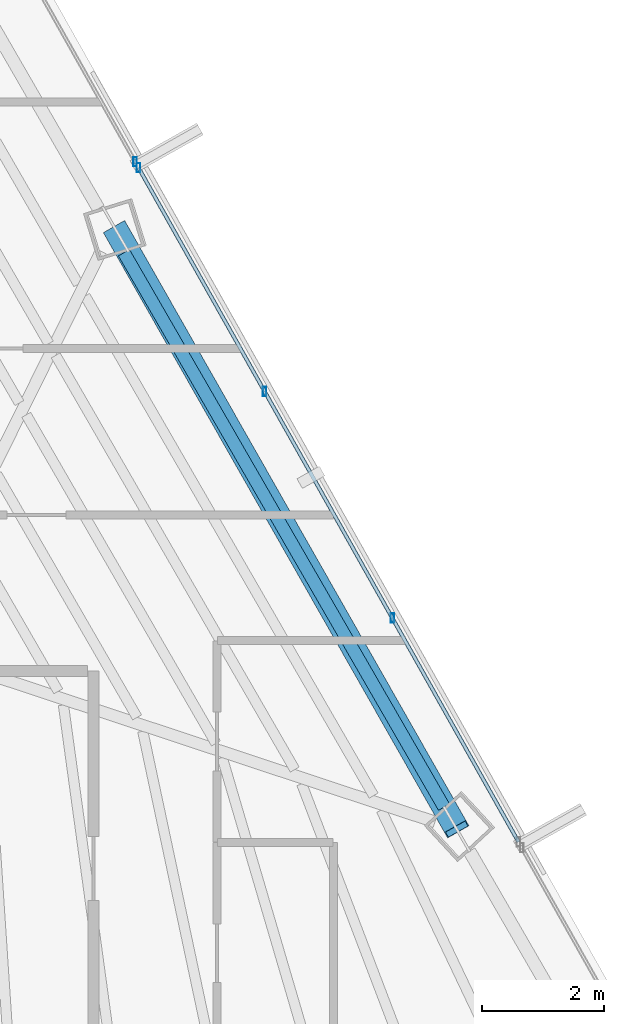
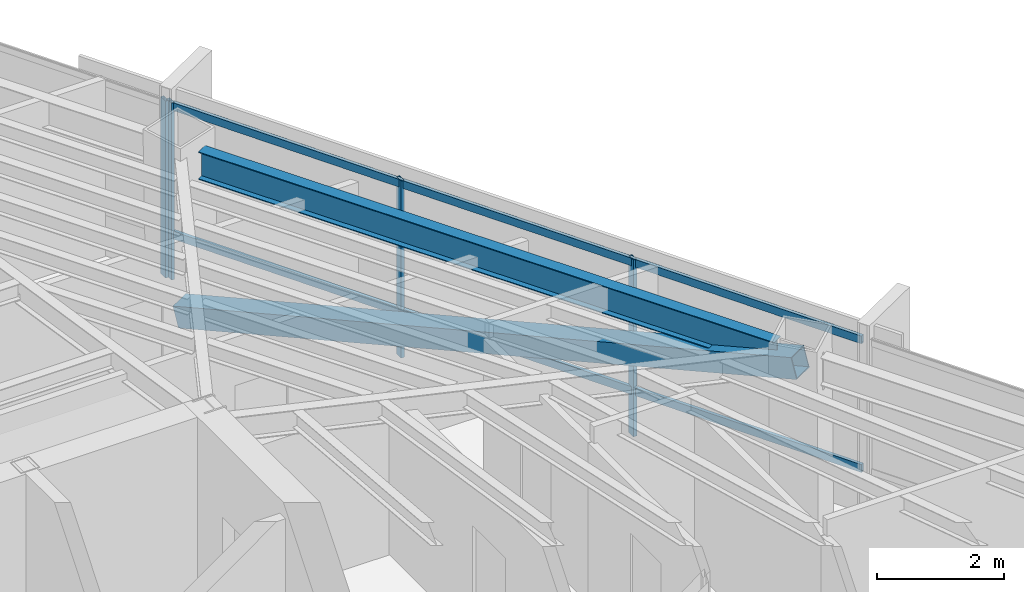
# One storey, part 26 of 42: 7 members, 1 beam, 2 elements without a shape of their own.
"""IFC4 building model written with IfcOpenShell, lengths in metres."""

from ifc_helpers import new_model, si_unit, direction, frame, origin, origin_2d, place, context, subcontext, project, spatial, hollow_rectangle, i_section, extrude, source, transform, mapped, material, material_profile, profile_set, type_object, type_shapes, element, aggregate, save


model = new_model("IFC4")

# Units and contexts
model_context = context("Model", 3, precision=1e-05, world=origin(), true_north=direction((0.0, 1.0)))
body_context = subcontext(model_context, "Body", "Model", "MODEL_VIEW")
ifc_project = project(units=[si_unit("LENGTHUNIT", "METRE"), si_unit("AREAUNIT", "SQUARE_METRE"), si_unit("VOLUMEUNIT", "CUBIC_METRE"), si_unit("PLANEANGLEUNIT", "RADIAN"), si_unit("MASSUNIT", "GRAM", prefix="KILO")], contexts=[model_context])

# Site, building, storey
site_placement = place(None, origin())
site = spatial("IfcSite", under=ifc_project, at=site_placement, CompositionType="ELEMENT")
building_placement = place(site_placement, origin())
building = spatial("IfcBuilding", under=site, at=building_placement, Name="Caelisora Broadcast Tower", CompositionType="ELEMENT")
storey_placement = place(building_placement, frame((0.0, 0.0, 195.0)))
storey = spatial("IfcBuildingStorey", under=building, at=storey_placement, Name="L51", CompositionType="ELEMENT", Elevation=195.0)

# Beam
ifc_material_1 = material(Name="Steel Grade 350 (AS/NZS 3679.1)", Category="steel")
ifc_material_profile_1 = material_profile(ifc_material_1, i_section(OverallWidth=0.208984375, OverallDepth=0.532958984375, WebThickness=0.01025390625, FlangeThickness=0.015625, at=origin_2d()), Name="Steel Grade 350 (AS/NZS 3679.1)")
ifc_profile_set_1 = profile_set([ifc_material_profile_1], Name="Steel Grade 350 (AS/NZS 3679.1)")
beam_type = type_object("IfcBeamType", Name="PG05", PredefinedType="BEAM", material=ifc_profile_set_1)
shared_shape_1 = source(origin(), body_context, "Body", "SweptSolid", [
    extrude(i_section(OverallWidth=0.208984375, OverallDepth=0.532958984375, WebThickness=0.01025390625, FlangeThickness=0.015625, at=origin_2d()), origin(), (0.0, 0.0, 1.0), 10.458740234375),
])
type_shapes(beam_type, [shared_shape_1])
beam_placement = place(storey_placement, frame((54.30810546875, 27.377197265625, 3.133544921875), z_axis=(-0.49998783254, 0.866032428557, 0.0), x_axis=(-0.866032428557, -0.49998783254, 0.0)))
element("IfcBeam", 1, at=beam_placement, inside=storey, type_object=beam_type, Name="L51 beam PG05", PredefinedType="BEAM", context=body_context, shape_type="MappedRepresentation", body=[
    mapped(shared_shape_1, transform((0.0, 0.0, 0.0), scale=1.0)),
])

# Member
ifc_material_2 = material(Name="Steel Grade 450 (AS/NZS 1163 C450L0)", Category="steel")
ifc_material_profile_2 = material_profile(ifc_material_2, hollow_rectangle(XDim=0.39990234375, YDim=0.39990234375, WallThickness=0.01611328125, at=origin_2d()), Name="Steel Grade 450 (AS/NZS 1163 C450L0)")
ifc_profile_set_2 = profile_set([ifc_material_profile_2], Name="Steel Grade 450 (AS/NZS 1163 C450L0)")
member_type_1 = type_object("IfcMemberType", Name="BR04", PredefinedType="BRACE", material=ifc_profile_set_2)
shared_shape_2 = source(origin(), body_context, "Body", "SweptSolid", [
    extrude(hollow_rectangle(XDim=0.39990234375, YDim=0.39990234375, WallThickness=0.01611328125, at=origin_2d()), origin(), (0.0, 0.0, 1.0), 11.666748046875),
])
type_shapes(member_type_1, [shared_shape_2])
member_1_placement = place(storey_placement, frame((54.51611328125, 27.01708984375, 3.10009765625), z_axis=(-0.477811636181, 0.839984192892, -0.257143143056), x_axis=(-0.869212933391, -0.494437939913, 0.0)))
element("IfcMember", 2, at=member_1_placement, inside=storey, type_object=member_type_1, Name="L51 perimeter brace BR04", PredefinedType="BRACE", context=body_context, shape_type="MappedRepresentation", body=[
    mapped(shared_shape_2, transform((0.0, 0.0, 0.0), scale=1.0)),
])

# Curtain wall, member
ifc_material_3 = material(Name="Unitised Aluminium and Low-E Glass Curtain Wall", Category="glass")
curtain_wall_type_1 = type_object("IfcCurtainWallType", Name="CW-Z4", PredefinedType="NOTDEFINED", material=ifc_material_3)
curtain_wall_1_placement = place(storey_placement, origin())
curtain_wall_1 = element("IfcCurtainWall", 3, at=curtain_wall_1_placement, inside=storey, type_object=curtain_wall_type_1, Name="L51 curtain wall CW-Z4", PredefinedType="NOTDEFINED")
ifc_material_4 = material(Name="Aluminium 6063-T6 Anodised Terracotta Bronze", Category="aluminium")
ifc_material_profile_3 = material_profile(ifc_material_4, hollow_rectangle(XDim=0.06005859375, YDim=0.14990234375, WallThickness=0.00341796875, at=origin_2d()), Name="Aluminium 6063-T6 Anodised Terracotta Bronze")
ifc_profile_set_3 = profile_set([ifc_material_profile_3], Name="Aluminium 6063-T6 Anodised Terracotta Bronze")
member_type_2 = type_object("IfcMemberType", Name="CWM-03", PredefinedType="MULLION", material=ifc_profile_set_3)
shared_shape_3 = source(origin(), body_context, "Body", "SweptSolid", [
    extrude(hollow_rectangle(XDim=0.06005859375, YDim=0.14990234375, WallThickness=0.00341796875, at=origin_2d()), origin(), (0.0, 0.0, 1.0), 3.39990234375),
])
type_shapes(member_type_2, [shared_shape_3])
member_2_placement = place(storey_placement, frame((49.26171875, 37.92138671875, 0.0), z_axis=(0.0, 0.0, 1.0), x_axis=(1.0, 0.0, 0.0)))
member_2 = element("IfcMember", 4, at=member_2_placement, type_object=member_type_2, Name="L51-CW-B01 mullion #3", PredefinedType="MULLION", context=body_context, shape_type="MappedRepresentation", body=[
    mapped(shared_shape_3, transform((0.0, 0.0, 0.0), scale=1.0)),
])
aggregate(curtain_wall_1, [member_2])

# Curtain wall, members
ifc_material_5 = material(Name="Unitised Aluminium Insulated Shadow-Box Spandrel Curtain Wall", Category="aluminium")
curtain_wall_type_2 = type_object("IfcCurtainWallType", Name="CW-SP2", PredefinedType="NOTDEFINED", material=ifc_material_5)
curtain_wall_2_placement = place(storey_placement, origin())
curtain_wall_2 = element("IfcCurtainWall", 5, at=curtain_wall_2_placement, inside=storey, type_object=curtain_wall_type_2, Name="L51 curtain wall CW-SP2", PredefinedType="NOTDEFINED")
member_3_placement = place(storey_placement, frame((49.315673828125, 37.825439453125, 0.0), z_axis=(0.0, 0.0, 1.0), x_axis=(1.0, 0.0, 0.0)))
member_3 = element("IfcMember", 6, at=member_3_placement, type_object=member_type_2, Name="L51-CW-B02 mullion #0", PredefinedType="MULLION", context=body_context, shape_type="MappedRepresentation", body=[
    mapped(shared_shape_3, transform((0.0, 0.0, 0.0), scale=1.0)),
])
member_4_placement = place(storey_placement, frame((51.37744140625, 34.16748046875, 0.0), z_axis=(0.0, 0.0, 1.0), x_axis=(1.0, 0.0, 0.0)))
member_4 = element("IfcMember", 7, at=member_4_placement, type_object=member_type_2, Name="L51-CW-B02 mullion #1", PredefinedType="MULLION", context=body_context, shape_type="MappedRepresentation", body=[
    mapped(shared_shape_3, transform((0.0, 0.0, 0.0), scale=1.0)),
])
member_5_placement = place(storey_placement, frame((53.4638671875, 30.4658203125, 0.0), z_axis=(0.0, 0.0, 1.0), x_axis=(1.0, 0.0, 0.0)))
member_5 = element("IfcMember", 8, at=member_5_placement, type_object=member_type_2, Name="L51-CW-B02 mullion #2", PredefinedType="MULLION", context=body_context, shape_type="MappedRepresentation", body=[
    mapped(shared_shape_3, transform((0.0, 0.0, 0.0), scale=1.0)),
])
ifc_material_profile_4 = material_profile(ifc_material_4, hollow_rectangle(XDim=0.06005859375, YDim=0.14990234375, WallThickness=0.00341796875, at=origin_2d()), Name="Aluminium 6063-T6 Anodised Terracotta Bronze")
ifc_profile_set_4 = profile_set([ifc_material_profile_4], Name="Aluminium 6063-T6 Anodised Terracotta Bronze")
member_type_3 = type_object("IfcMemberType", Name="CWT-02", PredefinedType="USERDEFINED", material=ifc_profile_set_4)
shared_shape_4 = source(origin(), body_context, "Body", "SweptSolid", [
    extrude(hollow_rectangle(XDim=0.06005859375, YDim=0.14990234375, WallThickness=0.00341796875, at=origin_2d()), origin(), (0.0, 0.0, 1.0), 12.647216796875),
])
type_shapes(member_type_3, [shared_shape_4])
member_6_placement = place(storey_placement, frame((49.315673828125, 37.825439453125, 0.85009765625), z_axis=(0.491016259711, -0.871150407621, 0.0), x_axis=(0.871150407621, 0.491016259711, 0.0)))
member_6 = element("IfcMember", 9, at=member_6_placement, type_object=member_type_3, Name="L51-CW-B02 transom #1", ObjectType="TRANSOM", PredefinedType="USERDEFINED", context=body_context, shape_type="MappedRepresentation", body=[
    mapped(shared_shape_4, transform((0.0, 0.0, 0.0), scale=1.0)),
])
member_7_placement = place(storey_placement, frame((49.315673828125, 37.825439453125, 3.320068359375), z_axis=(0.491016259711, -0.871150407621, 0.0), x_axis=(0.871150407621, 0.491016259711, 0.0)))
member_7 = element("IfcMember", 10, at=member_7_placement, type_object=member_type_3, Name="L51-CW-B02 transom #2", ObjectType="TRANSOM", PredefinedType="USERDEFINED", context=body_context, shape_type="MappedRepresentation", body=[
    mapped(shared_shape_4, transform((0.0, 0.0, 0.0), scale=1.0)),
])
aggregate(curtain_wall_2, [member_3, member_4, member_5, member_6, member_7])

save(model, "model.ifc")
